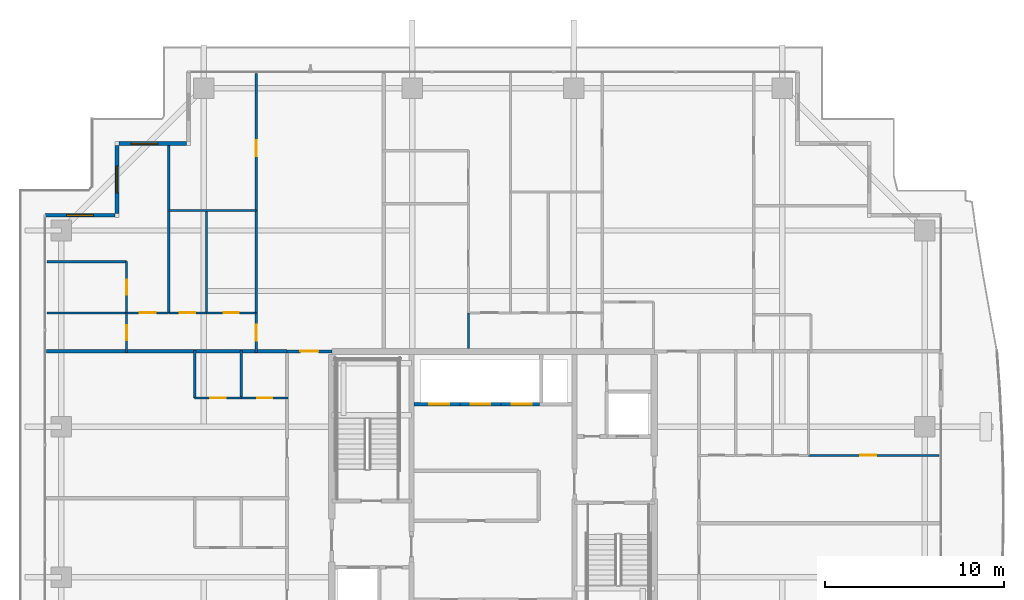
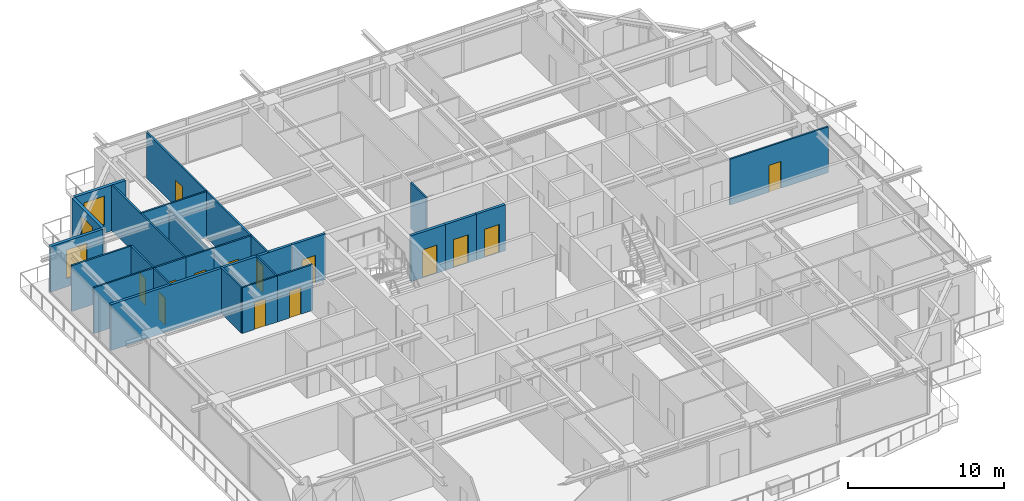
# One storey, part 29 of 38: 27 walls, 14 doors, 3 windows, 17 openings.
"""IFC4 building model written with IfcOpenShell, lengths in metres."""

from ifc_helpers import new_model, si_unit, direction, frame, frame_2d, origin, place, context, subcontext, project, spatial, rectangle, extrude, source, transform, mapped, material, layer, layer_set, type_object, element, fill, save


model = new_model("IFC4")

# Units and contexts
model_context = context("Model", 3, precision=1e-05, world=origin(), true_north=direction((0.0, 1.0)))
body_context = subcontext(model_context, "Body", "Model", "MODEL_VIEW")
ifc_project = project(units=[si_unit("LENGTHUNIT", "METRE"), si_unit("AREAUNIT", "SQUARE_METRE"), si_unit("VOLUMEUNIT", "CUBIC_METRE"), si_unit("PLANEANGLEUNIT", "RADIAN"), si_unit("MASSUNIT", "GRAM", prefix="KILO")], contexts=[model_context])

# Site, building, storey
site_placement = place(None, origin())
site = spatial("IfcSite", under=ifc_project, at=site_placement, CompositionType="ELEMENT")
building_placement = place(site_placement, origin())
building = spatial("IfcBuilding", under=site, at=building_placement, Name="Serunith Strait Residences", CompositionType="ELEMENT")
storey_placement = place(building_placement, frame((0.0, 0.0, 229.699951171875)))
storey = spatial("IfcBuildingStorey", under=building, at=storey_placement, Name="L57", CompositionType="ELEMENT", Elevation=229.699951171875)

# Wall, opening, window
ifc_material_1 = material(Name="Pale-Champagne Aluminium Insulated Panel", Category="aluminium")
ifc_layer_1 = layer(ifc_material_1, 0.219970703125, Name="Pale-Champagne Aluminium Insulated Panel")
ifc_layer_set_1 = layer_set([ifc_layer_1], Name="Pale-Champagne Aluminium Insulated Panel")
wall_type_1 = type_object("IfcWallType", Name="EW-ALUM-220", PredefinedType="ELEMENTEDWALL", material=ifc_layer_set_1)
wall_1_placement = place(storey_placement, frame((15.2900390625, 45.199951171875, 0.0), z_axis=(0.0, 0.0, 1.0), x_axis=(-1.0, 0.0, 0.0)))
wall_1 = element("IfcWall", 1, at=wall_1_placement, inside=storey, type_object=wall_type_1, Name="L57 Girih Serrated Corner Wall 13", PredefinedType="ELEMENTEDWALL", context=body_context, shape_type="SweptSolid", body=[
    extrude(rectangle(XDim=3.780029296875, YDim=0.219970703125, at=frame_2d((1.89013671875, 0.0))), origin(), (0.0, 0.0, 1.0), 3.574951171875),
])
opening_1_placement = place(wall_1_placement, frame((1.595947265625, 0.0, 0.64990234375)))
opening_1 = element("IfcOpeningElement", 2, at=opening_1_placement, cuts=wall_1, Name="Opening W-05", PredefinedType="OPENING", context=body_context, shape_type="SweptSolid", body=[
    extrude(rectangle(XDim=1.5, YDim=2.25, at=frame_2d((0.75, 1.125))), frame((0.0, 0.1201171875, 0.0), z_axis=(0.0, -1.0, 0.0), x_axis=(1.0, 0.0, 0.0)), (0.0, 0.0, 1.0), 0.239990234375),
])
ifc_material_2 = material(Name="Ceramic-Fritted Operable Aluminium Window Glass", Category="aluminium")
window_type = type_object("IfcWindowType", Name="WIN-C5", PartitioningType="DOUBLE_PANEL_VERTICAL", PredefinedType="WINDOW", material=ifc_material_2)
shared_shape_1 = source(origin(), body_context, "Body", "SweptSolid", [
    extrude(rectangle(XDim=1.5, YDim=2.25, at=frame_2d((0.75, 1.125))), frame((0.0, 0.030029296875, 0.0), z_axis=(0.0, -1.0, 0.0), x_axis=(1.0, 0.0, 0.0)), (0.0, 0.0, 1.0), 0.06005859375),
])
window_1_placement = place(opening_1_placement, origin())
window_1 = element("IfcWindow", 3, at=window_1_placement, inside=storey, type_object=window_type, Name="L57 Corner Operable Fritted Window 13", OverallHeight=2.25, OverallWidth=1.5, PartitioningType="SINGLE_PANEL", PredefinedType="WINDOW", context=body_context, shape_type="MappedRepresentation", body=[
    mapped(shared_shape_1, transform((0.0, 0.0, 0.0), scale=1.0)),
])
fill(opening_1, window_1)

wall_2_placement = place(storey_placement, frame((11.39990234375, 45.090087890625, 0.0), z_axis=(0.0, 0.0, 1.0), x_axis=(0.0, -1.0, 0.0)))
wall_2 = element("IfcWall", 4, at=wall_2_placement, inside=storey, type_object=wall_type_1, Name="L57 Girih Serrated Corner Wall 14", PredefinedType="ELEMENTEDWALL", context=body_context, shape_type="SweptSolid", body=[
    extrude(rectangle(XDim=3.780029296875, YDim=0.219970703125, at=frame_2d((1.89013671875, 0.0))), origin(), (0.0, 0.0, 1.0), 3.574951171875),
])
opening_2_placement = place(wall_2_placement, frame((1.139892578125, 0.0, 0.64990234375)))
opening_2 = element("IfcOpeningElement", 5, at=opening_2_placement, cuts=wall_2, Name="Opening W-05", PredefinedType="OPENING", context=body_context, shape_type="SweptSolid", body=[
    extrude(rectangle(XDim=1.5, YDim=2.25, at=frame_2d((0.75, 1.125))), frame((0.0, 0.1201171875, 0.0), z_axis=(0.0, -1.0, 0.0), x_axis=(1.0, 0.0, 0.0)), (0.0, 0.0, 1.0), 0.239990234375),
])
window_2_placement = place(opening_2_placement, origin())
window_2 = element("IfcWindow", 6, at=window_2_placement, inside=storey, type_object=window_type, Name="L57 Corner Operable Fritted Window 14", OverallHeight=2.25, OverallWidth=1.5, PartitioningType="SINGLE_PANEL", PredefinedType="WINDOW", context=body_context, shape_type="MappedRepresentation", body=[
    mapped(shared_shape_1, transform((0.0, 0.0, 0.0), scale=1.0)),
])
fill(opening_2, window_2)

wall_3_placement = place(storey_placement, frame((11.2900390625, 41.199951171875, 0.0), z_axis=(0.0, 0.0, 1.0), x_axis=(-1.0, 0.0, 0.0)))
wall_3 = element("IfcWall", 7, at=wall_3_placement, inside=storey, type_object=wall_type_1, Name="L57 Girih Serrated Corner Wall 15", PredefinedType="ELEMENTEDWALL", context=body_context, shape_type="SweptSolid", body=[
    extrude(rectangle(XDim=3.89013671875, YDim=0.219970703125, at=frame_2d((1.945068359375, 0.0))), origin(), (0.0, 0.0, 1.0), 3.574951171875),
])
opening_3_placement = place(wall_3_placement, frame((1.195068359375, 0.0, 0.64990234375)))
opening_3 = element("IfcOpeningElement", 8, at=opening_3_placement, cuts=wall_3, Name="Opening W-05", PredefinedType="OPENING", context=body_context, shape_type="SweptSolid", body=[
    extrude(rectangle(XDim=1.5, YDim=2.25, at=frame_2d((0.75, 1.125))), frame((0.0, 0.1201171875, 0.0), z_axis=(0.0, -1.0, 0.0), x_axis=(1.0, 0.0, 0.0)), (0.0, 0.0, 1.0), 0.239990234375),
])
window_3_placement = place(opening_3_placement, origin())
window_3 = element("IfcWindow", 9, at=window_3_placement, inside=storey, type_object=window_type, Name="L57 Corner Operable Fritted Window 15", OverallHeight=2.25, OverallWidth=1.5, PartitioningType="SINGLE_PANEL", PredefinedType="WINDOW", context=body_context, shape_type="MappedRepresentation", body=[
    mapped(shared_shape_1, transform((0.0, 0.0, 0.0), scale=1.0)),
])
fill(opening_3, window_3)

# Wall, opening, door
ifc_material_3 = material(Name="Fire-rated acoustic gypsum partition")
ifc_layer_2 = layer(ifc_material_3, 0.179931640625, Name="Fire-rated acoustic gypsum partition")
ifc_layer_set_2 = layer_set([ifc_layer_2], Name="Fire-rated acoustic gypsum partition")
wall_type_2 = type_object("IfcWallType", Name="IW-CORR-180", PredefinedType="PARTITIONING", material=ifc_layer_set_2)
wall_4_placement = place(storey_placement, frame((20.902099609375, 33.60009765625, 0.0), z_axis=(0.0, 0.0, 1.0), x_axis=(1.0, 0.0, 0.0)))
wall_4 = element("IfcWall", 10, at=wall_4_placement, inside=storey, type_object=wall_type_2, Name="L57 Partition Wall 027", PredefinedType="PARTITIONING", context=body_context, shape_type="SweptSolid", body=[
    extrude(rectangle(XDim=2.495849609375, YDim=0.179931640625, at=frame_2d((1.248046875, 0.0))), origin(), (0.0, 0.0, 1.0), 3.590087890625),
])
opening_4_placement = place(wall_4_placement, frame((0.748046875, 0.0, 0.0)))
opening_4 = element("IfcOpeningElement", 11, at=opening_4_placement, cuts=wall_4, Name="Opening D-APT1000", PredefinedType="OPENING", context=body_context, shape_type="SweptSolid", body=[
    extrude(rectangle(XDim=1.0, YDim=2.14990234375, at=frame_2d((0.5, 1.074951171875))), frame((0.0, 0.10009765625, 0.0), z_axis=(0.0, -1.0, 0.0), x_axis=(1.0, 0.0, 0.0)), (0.0, 0.0, 1.0), 0.199951171875),
])
ifc_material_4 = material(Name="Solid timber engineered fire door", Category="wood")
door_type_1 = type_object("IfcDoorType", Name="ID-APT-1000", OperationType="NOTDEFINED", PredefinedType="DOOR", material=ifc_material_4)
shared_shape_2 = source(origin(), body_context, "Body", "SweptSolid", [
    extrude(rectangle(XDim=1.0, YDim=2.14990234375, at=frame_2d((0.5, 1.074951171875))), frame((0.0, 0.02490234375, 0.0), z_axis=(0.0, -1.0, 0.0), x_axis=(1.0, 0.0, 0.0)), (0.0, 0.0, 1.0), 0.050048828125),
])
door_1_placement = place(opening_4_placement, origin())
door_1 = element("IfcDoor", 12, at=door_1_placement, inside=storey, type_object=door_type_1, Name="L57 Unit 03 Entrance Door", OperationType="SINGLE_SWING_RIGHT", OverallHeight=2.14990234375, OverallWidth=1.0, PredefinedType="DOOR", context=body_context, shape_type="MappedRepresentation", body=[
    mapped(shared_shape_2, transform((0.0, 0.0, 0.0), scale=1.0)),
])
fill(opening_4, door_1)

ifc_material_5 = material(Name="Lightweight steel-stud gypsum partition", Category="steel")
ifc_layer_3 = layer(ifc_material_5, 0.1201171875, Name="Lightweight steel-stud gypsum partition")
ifc_layer_set_3 = layer_set([ifc_layer_3], Name="Lightweight steel-stud gypsum partition")
wall_type_3 = type_object("IfcWallType", Name="IW-PART-120", PredefinedType="PARTITIONING", material=ifc_layer_set_3)
wall_5_placement = place(storey_placement, frame((19.179931640625, 35.75, 0.0), z_axis=(0.0, 0.0, 1.0), x_axis=(0.0, -1.0, 0.0)))
wall_5 = element("IfcWall", 13, at=wall_5_placement, inside=storey, type_object=wall_type_3, Name="L57 Partition Wall 067", PredefinedType="PARTITIONING", context=body_context, shape_type="SweptSolid", body=[
    extrude(rectangle(XDim=2.2099609375, YDim=0.1201171875, at=frame_2d((1.10498046875, 0.0))), origin(), (0.0, 0.0, 1.0), 3.590087890625),
])
opening_5_placement = place(wall_5_placement, frame((0.655029296875, 0.0, 0.0)))
opening_5 = element("IfcOpeningElement", 14, at=opening_5_placement, cuts=wall_5, Name="Opening D-RM900", PredefinedType="OPENING", context=body_context, shape_type="SweptSolid", body=[
    extrude(rectangle(XDim=0.89990234375, YDim=2.10009765625, at=frame_2d((0.449951171875, 1.050048828125))), frame((0.0, 0.070068359375, 0.0), z_axis=(0.0, -1.0, 0.0), x_axis=(1.0, 0.0, 0.0)), (0.0, 0.0, 1.0), 0.14013671875),
])
ifc_material_6 = material(Name="Engineered timber flush bedroom door", Category="wood")
door_type_2 = type_object("IfcDoorType", Name="ID-ROOM-900", OperationType="NOTDEFINED", PredefinedType="DOOR", material=ifc_material_6)
shared_shape_3 = source(origin(), body_context, "Body", "SweptSolid", [
    extrude(rectangle(XDim=0.89990234375, YDim=2.10009765625, at=frame_2d((0.449951171875, 1.050048828125))), frame((0.0, 0.02490234375, 0.0), z_axis=(0.0, -1.0, 0.0), x_axis=(1.0, 0.0, 0.0)), (0.0, 0.0, 1.0), 0.050048828125),
])
door_2_placement = place(opening_5_placement, origin())
door_2 = element("IfcDoor", 15, at=door_2_placement, inside=storey, type_object=door_type_2, Name="L57 Hall W 5703 Door", OperationType="SINGLE_SWING_LEFT", OverallHeight=2.10009765625, OverallWidth=0.89990234375, PredefinedType="DOOR", context=body_context, shape_type="MappedRepresentation", body=[
    mapped(shared_shape_3, transform((0.0, 0.0, 0.0), scale=1.0)),
])
fill(opening_5, door_2)

wall_6_placement = place(storey_placement, frame((19.179931640625, 49.10498046875, 0.0), z_axis=(0.0, 0.0, 1.0), x_axis=(0.0, -1.0, 0.0)))
wall_6 = element("IfcWall", 16, at=wall_6_placement, inside=storey, type_object=wall_type_3, Name="L57 Partition Wall 068", PredefinedType="PARTITIONING", context=body_context, shape_type="SweptSolid", body=[
    extrude(rectangle(XDim=7.64501953125, YDim=0.1201171875, at=frame_2d((3.822509765625, 0.0))), origin(), (0.0, 0.0, 1.0), 3.590087890625),
])
opening_6_placement = place(wall_6_placement, frame((3.7099609375, 0.0, 0.0)))
opening_6 = element("IfcOpeningElement", 17, at=opening_6_placement, cuts=wall_6, Name="Opening D-RM900", PredefinedType="OPENING", context=body_context, shape_type="SweptSolid", body=[
    extrude(rectangle(XDim=0.89990234375, YDim=2.10009765625, at=frame_2d((0.449951171875, 1.050048828125))), frame((0.0, 0.070068359375, 0.0), z_axis=(0.0, -1.0, 0.0), x_axis=(1.0, 0.0, 0.0)), (0.0, 0.0, 1.0), 0.14013671875),
])
door_3_placement = place(opening_6_placement, origin())
door_3 = element("IfcDoor", 18, at=door_3_placement, inside=storey, type_object=door_type_2, Name="L57 Formal Dining Room 1 5703 Door", OperationType="SINGLE_SWING_RIGHT", OverallHeight=2.10009765625, OverallWidth=0.89990234375, PredefinedType="DOOR", context=body_context, shape_type="MappedRepresentation", body=[
    mapped(shared_shape_3, transform((0.0, 0.0, 0.0), scale=1.0)),
])
fill(opening_6, door_3)

# Walls
wall_7_placement = place(storey_placement, frame((19.179931640625, 41.4580078125, 0.0), z_axis=(0.0, 0.0, 1.0), x_axis=(0.0, -1.0, 0.0)))
element("IfcWall", 19, at=wall_7_placement, inside=storey, type_object=wall_type_3, Name="L57 Partition Wall 069", PredefinedType="PARTITIONING", context=body_context, shape_type="SweptSolid", body=[
    extrude(rectangle(XDim=5.7060546875, YDim=0.1201171875, at=frame_2d((2.85302734375, 0.0))), origin(), (0.0, 0.0, 1.0), 3.590087890625),
])
wall_8_placement = place(storey_placement, frame((14.300048828125, 41.4599609375, 0.0), z_axis=(0.0, 0.0, 1.0), x_axis=(1.0, 0.0, 0.0)))
element("IfcWall", 20, at=wall_8_placement, inside=storey, type_object=wall_type_3, Name="L57 Partition Wall 070", PredefinedType="PARTITIONING", context=body_context, shape_type="SweptSolid", body=[
    extrude(rectangle(XDim=4.8798828125, YDim=0.1201171875, at=frame_2d((2.43994140625, 0.0))), origin(), (0.0, 0.0, 1.0), 3.590087890625),
])
wall_9_placement = place(storey_placement, frame((14.300048828125, 45.10498046875, 0.0), z_axis=(0.0, 0.0, 1.0), x_axis=(0.0, -1.0, 0.0)))
element("IfcWall", 21, at=wall_9_placement, inside=storey, type_object=wall_type_3, Name="L57 Partition Wall 071", PredefinedType="PARTITIONING", context=body_context, shape_type="SweptSolid", body=[
    extrude(rectangle(XDim=9.35498046875, YDim=0.1201171875, at=frame_2d((4.677490234375, 0.0))), origin(), (0.0, 0.0, 1.0), 3.590087890625),
])
wall_10_placement = place(storey_placement, frame((16.39990234375, 41.4599609375, 0.0), z_axis=(0.0, 0.0, 1.0), x_axis=(0.0, -1.0, 0.0)))
element("IfcWall", 22, at=wall_10_placement, inside=storey, type_object=wall_type_3, Name="L57 Partition Wall 072", PredefinedType="PARTITIONING", context=body_context, shape_type="SweptSolid", body=[
    extrude(rectangle(XDim=5.7099609375, YDim=0.1201171875, at=frame_2d((2.85498046875, 0.0))), origin(), (0.0, 0.0, 1.0), 3.1220703125),
])

# Wall, opening, door
wall_11_placement = place(storey_placement, frame((14.300048828125, 35.75, 0.0), z_axis=(0.0, 0.0, 1.0), x_axis=(1.0, 0.0, 0.0)))
wall_11 = element("IfcWall", 23, at=wall_11_placement, inside=storey, type_object=wall_type_3, Name="L57 Partition Wall 073", PredefinedType="PARTITIONING", context=body_context, shape_type="SweptSolid", body=[
    extrude(rectangle(XDim=2.099853515625, YDim=0.1201171875, at=frame_2d((1.0498046875, 0.0))), origin(), (0.0, 0.0, 1.0), 3.590087890625),
])
opening_7_placement = place(wall_11_placement, frame((0.625, 0.0, 0.0)))
opening_7 = element("IfcOpeningElement", 24, at=opening_7_placement, cuts=wall_11, Name="Opening D-BTH850", PredefinedType="OPENING", context=body_context, shape_type="SweptSolid", body=[
    extrude(rectangle(XDim=0.85009765625, YDim=2.10009765625, at=frame_2d((0.425048828125, 1.050048828125))), frame((0.0, 0.070068359375, 0.0), z_axis=(0.0, -1.0, 0.0), x_axis=(1.0, 0.0, 0.0)), (0.0, 0.0, 1.0), 0.14013671875),
])
ifc_material_7 = material(Name="Moisture-resistant timber bathroom door", Category="wood")
door_type_3 = type_object("IfcDoorType", Name="ID-BATH-850", OperationType="NOTDEFINED", PredefinedType="DOOR", material=ifc_material_7)
shared_shape_4 = source(origin(), body_context, "Body", "SweptSolid", [
    extrude(rectangle(XDim=0.85009765625, YDim=2.10009765625, at=frame_2d((0.425048828125, 1.050048828125))), frame((0.0, 0.02490234375, 0.0), z_axis=(0.0, -1.0, 0.0), x_axis=(1.0, 0.0, 0.0)), (0.0, 0.0, 1.0), 0.050048828125),
])
door_4_placement = place(opening_7_placement, origin())
door_4 = element("IfcDoor", 25, at=door_4_placement, inside=storey, type_object=door_type_3, Name="L57 Bathroom 5703 Door", OperationType="SINGLE_SWING_LEFT", OverallHeight=2.10009765625, OverallWidth=0.85009765625, PredefinedType="DOOR", context=body_context, shape_type="MappedRepresentation", body=[
    mapped(shared_shape_4, transform((0.0, 0.0, 0.0), scale=1.0)),
])
fill(opening_7, door_4)

wall_12_placement = place(storey_placement, frame((16.402099609375, 35.75, 0.0), z_axis=(0.0, 0.0, 1.0), x_axis=(1.0, 0.0, 0.0)))
wall_12 = element("IfcWall", 26, at=wall_12_placement, inside=storey, type_object=wall_type_3, Name="L57 Partition Wall 074", PredefinedType="PARTITIONING", context=body_context, shape_type="SweptSolid", body=[
    extrude(rectangle(XDim=2.77783203125, YDim=0.1201171875, at=frame_2d((1.388916015625, 0.0))), origin(), (0.0, 0.0, 1.0), 3.590087890625),
])
opening_8_placement = place(wall_12_placement, frame((0.964111328125, 0.0, 0.0)))
opening_8 = element("IfcOpeningElement", 27, at=opening_8_placement, cuts=wall_12, Name="Opening D-RM850", PredefinedType="OPENING", context=body_context, shape_type="SweptSolid", body=[
    extrude(rectangle(XDim=0.85009765625, YDim=2.10009765625, at=frame_2d((0.425048828125, 1.050048828125))), frame((0.0, 0.070068359375, 0.0), z_axis=(0.0, -1.0, 0.0), x_axis=(1.0, 0.0, 0.0)), (0.0, 0.0, 1.0), 0.14013671875),
])
ifc_material_8 = material(Name="Engineered timber flush study and kitchen door", Category="wood")
door_type_4 = type_object("IfcDoorType", Name="ID-ROOM-850", OperationType="NOTDEFINED", PredefinedType="DOOR", material=ifc_material_8)
door_5_placement = place(opening_8_placement, origin())
door_5 = element("IfcDoor", 28, at=door_5_placement, inside=storey, type_object=door_type_4, Name="L57 Kitchen 5703 Door", OperationType="SINGLE_SWING_RIGHT", OverallHeight=2.10009765625, OverallWidth=0.85009765625, PredefinedType="DOOR", context=body_context, shape_type="MappedRepresentation", body=[
    mapped(shared_shape_4, transform((0.0, 0.0, 0.0), scale=1.0)),
])
fill(opening_8, door_5)

wall_13_placement = place(storey_placement, frame((11.949951171875, 35.75, 0.0), z_axis=(0.0, 0.0, 1.0), x_axis=(1.0, 0.0, 0.0)))
wall_13 = element("IfcWall", 29, at=wall_13_placement, inside=storey, type_object=wall_type_3, Name="L57 Partition Wall 075", PredefinedType="PARTITIONING", context=body_context, shape_type="SweptSolid", body=[
    extrude(rectangle(XDim=2.34814453125, YDim=0.1201171875, at=frame_2d((1.174072265625, 0.0))), origin(), (0.0, 0.0, 1.0), 3.590087890625),
])
opening_9_placement = place(wall_13_placement, frame((0.72412109375, 0.0, 0.0)))
opening_9 = element("IfcOpeningElement", 30, at=opening_9_placement, cuts=wall_13, Name="Opening D-RM900", PredefinedType="OPENING", context=body_context, shape_type="SweptSolid", body=[
    extrude(rectangle(XDim=0.89990234375, YDim=2.10009765625, at=frame_2d((0.449951171875, 1.050048828125))), frame((0.0, 0.070068359375, 0.0), z_axis=(0.0, -1.0, 0.0), x_axis=(1.0, 0.0, 0.0)), (0.0, 0.0, 1.0), 0.14013671875),
])
door_6_placement = place(opening_9_placement, origin())
door_6 = element("IfcDoor", 31, at=door_6_placement, inside=storey, type_object=door_type_2, Name="L57 Master Bedroom W 5703 Door", OperationType="SINGLE_SWING_LEFT", OverallHeight=2.10009765625, OverallWidth=0.89990234375, PredefinedType="DOOR", context=body_context, shape_type="MappedRepresentation", body=[
    mapped(shared_shape_3, transform((0.0, 0.0, 0.0), scale=1.0)),
])
fill(opening_9, door_6)

# Walls
wall_14_placement = place(storey_placement, frame((7.4951171875, 38.60693359375, 0.0), z_axis=(0.0, 0.0, 1.0), x_axis=(1.0, 0.0, 0.0)))
element("IfcWall", 32, at=wall_14_placement, inside=storey, type_object=wall_type_3, Name="L57 Partition Wall 076", PredefinedType="PARTITIONING", context=body_context, shape_type="SweptSolid", body=[
    extrude(rectangle(XDim=4.454833984375, YDim=0.1201171875, at=frame_2d((2.2275390625, 0.0))), origin(), (0.0, 0.0, 1.0), 3.590087890625),
])
wall_15_placement = place(storey_placement, frame((7.4951171875, 35.75, 0.0), z_axis=(0.0, 0.0, 1.0), x_axis=(1.0, 0.0, 0.0)))
element("IfcWall", 33, at=wall_15_placement, inside=storey, type_object=wall_type_3, Name="L57 Partition Wall 077", PredefinedType="PARTITIONING", context=body_context, shape_type="SweptSolid", body=[
    extrude(rectangle(XDim=4.452880859375, YDim=0.1201171875, at=frame_2d((2.2265625, 0.0))), origin(), (0.0, 0.0, 1.0), 3.590087890625),
])

# Wall, opening, door
wall_16_placement = place(storey_placement, frame((11.949951171875, 38.60693359375, 0.0), z_axis=(0.0, 0.0, 1.0), x_axis=(0.0, -1.0, 0.0)))
wall_16 = element("IfcWall", 34, at=wall_16_placement, inside=storey, type_object=wall_type_3, Name="L57 Partition Wall 078", PredefinedType="PARTITIONING", context=body_context, shape_type="SweptSolid", body=[
    extrude(rectangle(XDim=2.85693359375, YDim=0.1201171875, at=frame_2d((1.428466796875, 0.0))), origin(), (0.0, 0.0, 1.0), 3.590087890625),
])
opening_10_placement = place(wall_16_placement, frame((1.0029296875, 0.0, 0.0)))
opening_10 = element("IfcOpeningElement", 35, at=opening_10_placement, cuts=wall_16, Name="Opening D-BTH850", PredefinedType="OPENING", context=body_context, shape_type="SweptSolid", body=[
    extrude(rectangle(XDim=0.85009765625, YDim=2.10009765625, at=frame_2d((0.425048828125, 1.050048828125))), frame((0.0, 0.070068359375, 0.0), z_axis=(0.0, -1.0, 0.0), x_axis=(1.0, 0.0, 0.0)), (0.0, 0.0, 1.0), 0.14013671875),
])
door_7_placement = place(opening_10_placement, origin())
door_7 = element("IfcDoor", 36, at=door_7_placement, inside=storey, type_object=door_type_3, Name="L57 En-suite Bathroom W 5703 Door", OperationType="SINGLE_SWING_RIGHT", OverallHeight=2.10009765625, OverallWidth=0.85009765625, PredefinedType="DOOR", context=body_context, shape_type="MappedRepresentation", body=[
    mapped(shared_shape_4, transform((0.0, 0.0, 0.0), scale=1.0)),
])
fill(opening_10, door_7)

wall_17_placement = place(storey_placement, frame((11.949951171875, 35.748046875, 0.0), z_axis=(0.0, 0.0, 1.0), x_axis=(0.0, -1.0, 0.0)))
wall_17 = element("IfcWall", 37, at=wall_17_placement, inside=storey, type_object=wall_type_3, Name="L57 Partition Wall 079", PredefinedType="PARTITIONING", context=body_context, shape_type="SweptSolid", body=[
    extrude(rectangle(XDim=2.2080078125, YDim=0.1201171875, at=frame_2d((1.10400390625, 0.0))), origin(), (0.0, 0.0, 1.0), 3.590087890625),
])
opening_11_placement = place(wall_17_placement, frame((0.678955078125, 0.0, 0.0)))
opening_11 = element("IfcOpeningElement", 38, at=opening_11_placement, cuts=wall_17, Name="Opening D-RM850", PredefinedType="OPENING", context=body_context, shape_type="SweptSolid", body=[
    extrude(rectangle(XDim=0.85009765625, YDim=2.10009765625, at=frame_2d((0.425048828125, 1.050048828125))), frame((0.0, 0.070068359375, 0.0), z_axis=(0.0, -1.0, 0.0), x_axis=(1.0, 0.0, 0.0)), (0.0, 0.0, 1.0), 0.14013671875),
])
door_8_placement = place(opening_11_placement, origin())
door_8 = element("IfcDoor", 39, at=door_8_placement, inside=storey, type_object=door_type_4, Name="L57 Wardrobe W 5703 Door", OperationType="SINGLE_SWING_LEFT", OverallHeight=2.10009765625, OverallWidth=0.85009765625, PredefinedType="DOOR", context=body_context, shape_type="MappedRepresentation", body=[
    mapped(shared_shape_4, transform((0.0, 0.0, 0.0), scale=1.0)),
])
fill(opening_11, door_8)

# Wall
wall_18_placement = place(storey_placement, frame((31.030029296875, 35.748046875, 0.0), z_axis=(0.0, 0.0, 1.0), x_axis=(0.0, -1.0, 0.0)))
element("IfcWall", 40, at=wall_18_placement, inside=storey, type_object=wall_type_3, Name="L57 Partition Wall 095", PredefinedType="PARTITIONING", context=body_context, shape_type="SweptSolid", body=[
    extrude(rectangle(XDim=1.97314453125, YDim=0.1201171875, at=frame_2d((0.986572265625, 0.0))), origin(), (0.0, 0.0, 1.0), 3.590087890625),
])

# Wall, opening, door
wall_19_placement = place(storey_placement, frame((15.75, 31.0, 0.0), z_axis=(0.0, 0.0, 1.0), x_axis=(1.0, 0.0, 0.0)))
wall_19 = element("IfcWall", 41, at=wall_19_placement, inside=storey, type_object=wall_type_3, Name="L57 Partition Wall 106", PredefinedType="PARTITIONING", context=body_context, shape_type="SweptSolid", body=[
    extrude(rectangle(XDim=2.60009765625, YDim=0.1201171875, at=frame_2d((1.300048828125, 0.0))), origin(), (0.0, 0.0, 1.0), 3.590087890625),
])
opening_12_placement = place(wall_19_placement, frame((0.875, 0.0, 0.0)))
opening_12 = element("IfcOpeningElement", 42, at=opening_12_placement, cuts=wall_19, Name="Opening D-RM850", PredefinedType="OPENING", context=body_context, shape_type="SweptSolid", body=[
    extrude(rectangle(XDim=0.85009765625, YDim=2.10009765625, at=frame_2d((0.425048828125, 1.050048828125))), frame((0.0, 0.070068359375, 0.0), z_axis=(0.0, -1.0, 0.0), x_axis=(1.0, 0.0, 0.0)), (0.0, 0.0, 1.0), 0.14013671875),
])
door_9_placement = place(opening_12_placement, origin())
door_9 = element("IfcDoor", 43, at=door_9_placement, inside=storey, type_object=door_type_4, Name="L57 Kitchen 5706 Door", OperationType="SINGLE_SWING_LEFT", OverallHeight=2.10009765625, OverallWidth=0.85009765625, PredefinedType="DOOR", context=body_context, shape_type="MappedRepresentation", body=[
    mapped(shared_shape_4, transform((0.0, 0.0, 0.0), scale=1.0)),
])
fill(opening_12, door_9)

wall_20_placement = place(storey_placement, frame((18.35205078125, 31.0, 0.0), z_axis=(0.0, 0.0, 1.0), x_axis=(1.0, 0.0, 0.0)))
wall_20 = element("IfcWall", 44, at=wall_20_placement, inside=storey, type_object=wall_type_3, Name="L57 Partition Wall 107", PredefinedType="PARTITIONING", context=body_context, shape_type="SweptSolid", body=[
    extrude(rectangle(XDim=2.60791015625, YDim=0.1201171875, at=frame_2d((1.303955078125, 0.0))), origin(), (0.0, 0.0, 1.0), 3.590087890625),
])
opening_13_placement = place(wall_20_placement, frame((0.87890625, 0.0, 0.0)))
opening_13 = element("IfcOpeningElement", 45, at=opening_13_placement, cuts=wall_20, Name="Opening D-BTH850", PredefinedType="OPENING", context=body_context, shape_type="SweptSolid", body=[
    extrude(rectangle(XDim=0.85009765625, YDim=2.10009765625, at=frame_2d((0.425048828125, 1.050048828125))), frame((0.0, 0.070068359375, 0.0), z_axis=(0.0, -1.0, 0.0), x_axis=(1.0, 0.0, 0.0)), (0.0, 0.0, 1.0), 0.14013671875),
])
door_10_placement = place(opening_13_placement, origin())
door_10 = element("IfcDoor", 46, at=door_10_placement, inside=storey, type_object=door_type_3, Name="L57 Bathroom 5706 Door", OperationType="SINGLE_SWING_RIGHT", OverallHeight=2.10009765625, OverallWidth=0.85009765625, PredefinedType="DOOR", context=body_context, shape_type="MappedRepresentation", body=[
    mapped(shared_shape_4, transform((0.0, 0.0, 0.0), scale=1.0)),
])
fill(opening_13, door_10)

# Walls
for number, where, z_axis, x_axis, name in (
    (47, (18.35009765625, 31.0, 0.0), (0.0, 0.0, 1.0), (0.0, 1.0, 0.0), "L57 Partition Wall 108"),
    (48, (15.75, 31.0, 0.0), (0.0, 0.0, 1.0), (0.0, 1.0, 0.0), "L57 Partition Wall 109"),
):
    element("IfcWall", number, at=place(storey_placement, frame(where, z_axis=z_axis, x_axis=x_axis)), inside=storey, type_object=wall_type_3, Name=name, PredefinedType="PARTITIONING", context=body_context, shape_type="SweptSolid", body=[
        extrude(rectangle(XDim=2.659912109375, YDim=0.1201171875, at=frame_2d((1.330078125, 0.0))), origin(), (0.0, 0.0, 1.0), 3.590087890625),
    ])

# Wall, opening, door
wall_21_placement = place(storey_placement, frame((57.304931640625, 27.800048828125, 0.0), z_axis=(0.0, 0.0, 1.0), x_axis=(-1.0, 0.0, 0.0)))
wall_21 = element("IfcWall", 49, at=wall_21_placement, inside=storey, type_object=wall_type_3, Name="L57 Partition Wall 114", PredefinedType="PARTITIONING", context=body_context, shape_type="SweptSolid", body=[
    extrude(rectangle(XDim=7.302001953125, YDim=0.1201171875, at=frame_2d((3.65087890625, 0.0))), origin(), (0.0, 0.0, 1.0), 3.590087890625),
])
opening_14_placement = place(wall_21_placement, frame((3.52099609375, 0.0, 0.0)))
opening_14 = element("IfcOpeningElement", 50, at=opening_14_placement, cuts=wall_21, Name="Opening D-RM900", PredefinedType="OPENING", context=body_context, shape_type="SweptSolid", body=[
    extrude(rectangle(XDim=0.89990234375, YDim=2.10009765625, at=frame_2d((0.449951171875, 1.050048828125))), frame((0.0, 0.070068359375, 0.0), z_axis=(0.0, -1.0, 0.0), x_axis=(1.0, 0.0, 0.0)), (0.0, 0.0, 1.0), 0.14013671875),
])
door_11_placement = place(opening_14_placement, origin())
door_11 = element("IfcDoor", 51, at=door_11_placement, inside=storey, type_object=door_type_2, Name="L57 Master Bedroom 1 5708 Door", OperationType="SINGLE_SWING_LEFT", OverallHeight=2.10009765625, OverallWidth=0.89990234375, PredefinedType="DOOR", context=body_context, shape_type="MappedRepresentation", body=[
    mapped(shared_shape_3, transform((0.0, 0.0, 0.0), scale=1.0)),
])
fill(opening_14, door_11)

# Wall
ifc_material_9 = material(Name="Twin-stud acoustic gypsum board partition")
ifc_layer_4 = layer(ifc_material_9, 0.199951171875, Name="Twin-stud acoustic gypsum board partition")
ifc_layer_set_4 = layer_set([ifc_layer_4], Name="Twin-stud acoustic gypsum board partition")
wall_type_4 = type_object("IfcWallType", Name="IW-PARTY-200", PredefinedType="PARTITIONING", material=ifc_layer_set_4)
wall_22_placement = place(storey_placement, frame((7.48193359375, 33.60009765625, 0.0), z_axis=(0.0, 0.0, 1.0), x_axis=(1.0, 0.0, 0.0)))
element("IfcWall", 52, at=wall_22_placement, inside=storey, type_object=wall_type_4, Name="L57 Partition Wall 024", PredefinedType="PARTITIONING", context=body_context, shape_type="SweptSolid", body=[
    extrude(rectangle(XDim=13.41796875, YDim=0.199951171875, at=frame_2d((6.708984375, 0.0))), origin(), (0.0, 0.0, 1.0), 3.590087890625),
])

# Wall, opening, door
ifc_material_10 = material(Name="Autoclaved aerated concrete blockwork", Category="masonry")
ifc_layer_5 = layer(ifc_material_10, 0.199951171875, Name="Autoclaved aerated concrete blockwork")
ifc_layer_set_5 = layer_set([ifc_layer_5], Name="Autoclaved aerated concrete blockwork")
wall_type_5 = type_object("IfcWallType", Name="IW-SHAFT-200", PredefinedType="STANDARD", material=ifc_layer_set_5)
wall_23_placement = place(storey_placement, frame((28.0, 30.64990234375, 0.0), z_axis=(0.0, 0.0, 1.0), x_axis=(1.0, 0.0, 0.0)))
wall_23 = element("IfcWall", 53, at=wall_23_placement, inside=storey, type_object=wall_type_5, Name="L57 PL-7 South Shaft Wall", PredefinedType="STANDARD", context=body_context, shape_type="SweptSolid", body=[
    extrude(rectangle(XDim=2.550048828125, YDim=0.199951171875, at=frame_2d((1.27490234375, 0.0))), origin(), (0.0, 0.0, 1.0), 3.590087890625),
])
opening_15_placement = place(wall_23_placement, frame((0.85009765625, 0.0, 0.0)))
opening_15 = element("IfcOpeningElement", 54, at=opening_15_placement, cuts=wall_23, Name="Opening LD-1100", PredefinedType="OPENING", context=body_context, shape_type="SweptSolid", body=[
    extrude(rectangle(XDim=1.10009765625, YDim=2.199951171875, at=frame_2d((0.550048828125, 1.10009765625))), frame((0.0, 0.10986328125, 0.0), z_axis=(0.0, -1.0, 0.0), x_axis=(1.0, 0.0, 0.0)), (0.0, 0.0, 1.0), 0.219970703125),
])
ifc_material_11 = material(Name="Pale-champagne stainless landing door")
door_type_5 = type_object("IfcDoorType", Name="LD-LIFT-1100", OperationType="DOUBLE_DOOR_SLIDING", PredefinedType="DOOR", material=ifc_material_11)
shared_shape_5 = source(origin(), body_context, "Body", "SweptSolid", [
    extrude(rectangle(XDim=1.10009765625, YDim=2.199951171875, at=frame_2d((0.550048828125, 1.10009765625))), frame((0.0, 0.02490234375, 0.0), z_axis=(0.0, -1.0, 0.0), x_axis=(1.0, 0.0, 0.0)), (0.0, 0.0, 1.0), 0.050048828125),
])
door_12_placement = place(opening_15_placement, origin())
door_12 = element("IfcDoor", 55, at=door_12_placement, inside=storey, type_object=door_type_5, Name="L57 PL-7 Landing Door", OperationType="DOUBLE_DOOR_SLIDING", OverallHeight=2.199951171875, OverallWidth=1.10009765625, PredefinedType="DOOR", context=body_context, shape_type="MappedRepresentation", body=[
    mapped(shared_shape_5, transform((0.0, 0.0, 0.0), scale=1.0)),
])
fill(opening_15, door_12)

wall_24_placement = place(storey_placement, frame((30.550048828125, 30.64990234375, 0.0), z_axis=(0.0, 0.0, 1.0), x_axis=(1.0, 0.0, 0.0)))
wall_24 = element("IfcWall", 56, at=wall_24_placement, inside=storey, type_object=wall_type_5, Name="L57 PL-8 South Shaft Wall", PredefinedType="STANDARD", context=body_context, shape_type="SweptSolid", body=[
    extrude(rectangle(XDim=2.300048828125, YDim=0.199951171875, at=frame_2d((1.14990234375, 0.0))), origin(), (0.0, 0.0, 1.0), 3.590087890625),
])
opening_16_placement = place(wall_24_placement, frame((0.60009765625, 0.0, 0.0)))
opening_16 = element("IfcOpeningElement", 57, at=opening_16_placement, cuts=wall_24, Name="Opening LD-1100", PredefinedType="OPENING", context=body_context, shape_type="SweptSolid", body=[
    extrude(rectangle(XDim=1.10009765625, YDim=2.199951171875, at=frame_2d((0.550048828125, 1.10009765625))), frame((0.0, 0.10986328125, 0.0), z_axis=(0.0, -1.0, 0.0), x_axis=(1.0, 0.0, 0.0)), (0.0, 0.0, 1.0), 0.219970703125),
])
door_13_placement = place(opening_16_placement, origin())
door_13 = element("IfcDoor", 58, at=door_13_placement, inside=storey, type_object=door_type_5, Name="L57 PL-8 Landing Door", OperationType="DOUBLE_DOOR_SLIDING", OverallHeight=2.199951171875, OverallWidth=1.10009765625, PredefinedType="DOOR", context=body_context, shape_type="MappedRepresentation", body=[
    mapped(shared_shape_5, transform((0.0, 0.0, 0.0), scale=1.0)),
])
fill(opening_16, door_13)

wall_25_placement = place(storey_placement, frame((32.85009765625, 30.64990234375, 0.0), z_axis=(0.0, 0.0, 1.0), x_axis=(1.0, 0.0, 0.0)))
wall_25 = element("IfcWall", 59, at=wall_25_placement, inside=storey, type_object=wall_type_5, Name="L57 PL-9 South Shaft Wall", PredefinedType="STANDARD", context=body_context, shape_type="SweptSolid", body=[
    extrude(rectangle(XDim=2.14990234375, YDim=0.199951171875, at=frame_2d((1.074951171875, 0.0))), origin(), (0.0, 0.0, 1.0), 3.590087890625),
])
opening_17_placement = place(wall_25_placement, frame((0.60009765625, 0.0, 0.0)))
opening_17 = element("IfcOpeningElement", 60, at=opening_17_placement, cuts=wall_25, Name="Opening LD-1100", PredefinedType="OPENING", context=body_context, shape_type="SweptSolid", body=[
    extrude(rectangle(XDim=1.10009765625, YDim=2.199951171875, at=frame_2d((0.550048828125, 1.10009765625))), frame((0.0, 0.10986328125, 0.0), z_axis=(0.0, -1.0, 0.0), x_axis=(1.0, 0.0, 0.0)), (0.0, 0.0, 1.0), 0.219970703125),
])
door_14_placement = place(opening_17_placement, origin())
door_14 = element("IfcDoor", 61, at=door_14_placement, inside=storey, type_object=door_type_5, Name="L57 PL-9 Landing Door", OperationType="DOUBLE_DOOR_SLIDING", OverallHeight=2.199951171875, OverallWidth=1.10009765625, PredefinedType="DOOR", context=body_context, shape_type="MappedRepresentation", body=[
    mapped(shared_shape_5, transform((0.0, 0.0, 0.0), scale=1.0)),
])
fill(opening_17, door_14)

save(model, "model.ifc")
